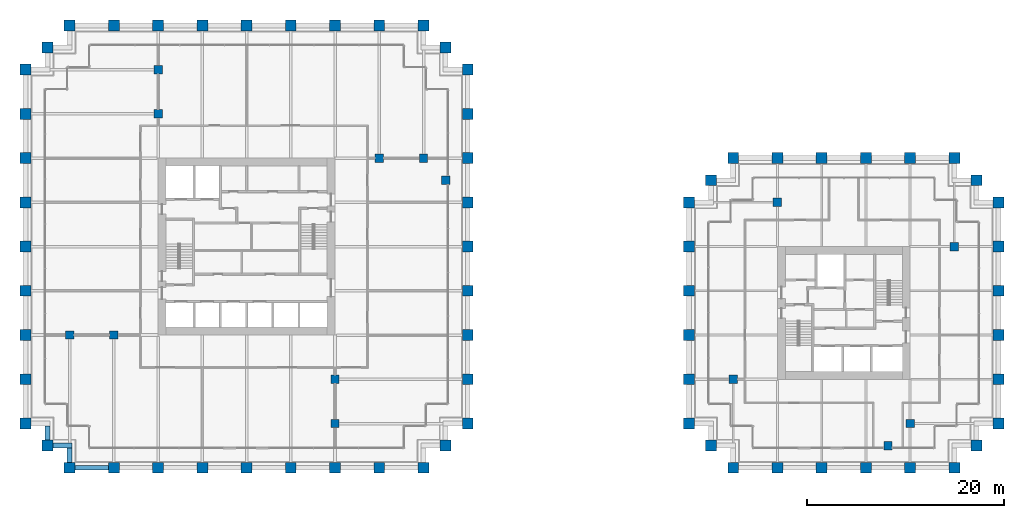
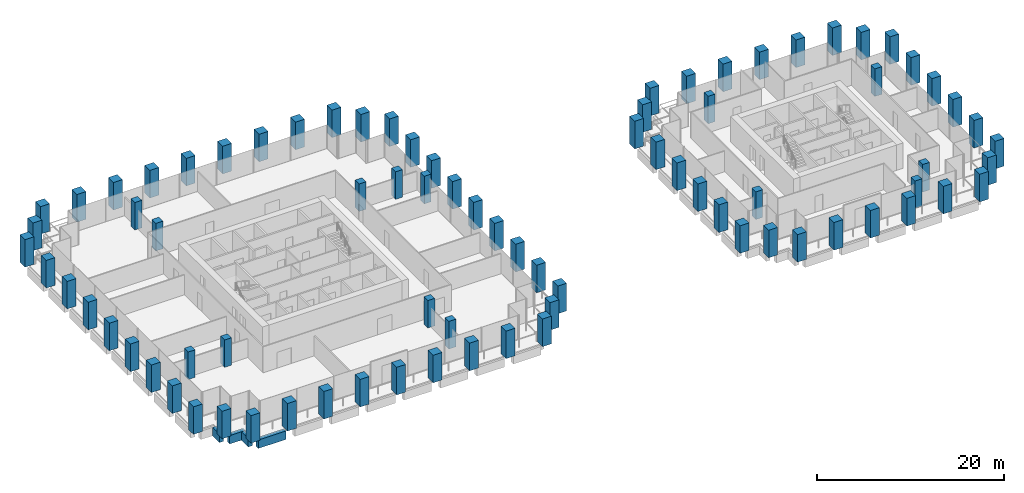
# One storey, part 1 of 56: 82 columns, 4 beams.
"""IFC4 building model written with IfcOpenShell, lengths in metres."""

from ifc_helpers import new_model, si_unit, direction, frame, origin, origin_2d, place, context, subcontext, project, spatial, rectangle, extrude, material, material_profile, profile_set, type_object, element, save


model = new_model("IFC4")

# Units and contexts
model_context = context("Model", 3, precision=1e-05, world=origin(), true_north=direction((0.0, 1.0)))
body_context = subcontext(model_context, "Body", "Model", "MODEL_VIEW")
ifc_project = project(units=[si_unit("LENGTHUNIT", "METRE"), si_unit("AREAUNIT", "SQUARE_METRE"), si_unit("VOLUMEUNIT", "CUBIC_METRE"), si_unit("PLANEANGLEUNIT", "RADIAN"), si_unit("MASSUNIT", "GRAM", prefix="KILO")], contexts=[model_context])

# Site, building, storey
site_placement = place(None, origin())
site = spatial("IfcSite", under=ifc_project, at=site_placement, CompositionType="ELEMENT")
building_placement = place(site_placement, origin())
building = spatial("IfcBuilding", under=site, at=building_placement, Name="Altepetl Exchange Towers", CompositionType="ELEMENT")
storey_placement = place(building_placement, frame((0.0, 0.0, 83.39990234375)))
storey = spatial("IfcBuildingStorey", under=building, at=storey_placement, Name="L20", CompositionType="ELEMENT", Elevation=83.39990234375)

# Columns
ifc_material_1 = material(Name="Concrete C70/85", Category="concrete")
ifc_material_profile_1 = material_profile(ifc_material_1, rectangle(XDim=0.85009765625, YDim=0.85009765625, at=origin_2d()), Name="850 x 850")
ifc_profile_set_1 = profile_set([ifc_material_profile_1], Name="Concrete C70/85")
column_type_1 = type_object("IfcColumnType", Name="Interior column 850", PredefinedType="COLUMN", material=ifc_profile_set_1)
for number, where, name in (
    (1, (31.5, 40.5, 0.0), "col:A:L20:040"),
    (2, (36.0, 40.5, 0.0), "col:A:L20:041"),
    (3, (40.5, 63.0, 0.0), "col:A:L20:042"),
    (4, (40.5, 67.5, 0.0), "col:A:L20:043"),
    (5, (58.5, 31.5, 0.0), "col:A:L20:044"),
    (6, (58.5, 36.0, 0.0), "col:A:L20:045"),
    (7, (63.0, 58.5, 0.0), "col:A:L20:046"),
    (8, (67.5, 58.5, 0.0), "col:A:L20:047"),
    (9, (69.75, 56.25, 0.0), "col:A:L20:048"),
    (10, (99.0, 36.0, 0.0), "col:B:L20:028"),
    (11, (103.5, 54.0, 0.0), "col:B:L20:029"),
    (12, (114.75, 29.25, 0.0), "col:B:L20:030"),
    (13, (117.0, 31.5, 0.0), "col:B:L20:031"),
    (14, (121.5, 49.5, 0.0), "col:B:L20:032"),
):
    element("IfcColumn", number, at=place(storey_placement, frame(where)), inside=storey, type_object=column_type_1, Name=name, PredefinedType="COLUMN", context=body_context, shape_type="SweptSolid", body=[
        extrude(rectangle(XDim=0.85009765625, YDim=0.85009765625, at=origin_2d()), origin(), (0.0, 0.0, 1.0), 3.60009765625),
    ])
ifc_material_2 = material(Name="Concrete C70/85 precast with cantera amarilla facing", Category="concrete")
ifc_material_profile_2 = material_profile(ifc_material_2, rectangle(XDim=1.10009765625, YDim=1.10009765625, at=origin_2d()), Name="1100 x 1100")
ifc_profile_set_2 = profile_set([ifc_material_profile_2], Name="Concrete C70/85 precast with cantera amarilla facing")
column_type_2 = type_object("IfcColumnType", Name="Perimeter column 1100 cantera amarilla", PredefinedType="COLUMN", material=ifc_profile_set_2)
for number, where, name in (
    (15, (58.5, 27.0, 0.0), "col:A:L20:006"),
    (16, (63.0, 27.0, 0.0), "col:A:L20:007"),
    (17, (67.5, 27.0, 0.0), "col:A:L20:008"),
    (18, (69.75, 29.25, 0.0), "col:A:L20:009"),
    (19, (72.0, 31.5, 0.0), "col:A:L20:010"),
    (20, (72.0, 36.0, 0.0), "col:A:L20:011"),
    (21, (72.0, 40.5, 0.0), "col:A:L20:012"),
    (22, (72.0, 45.0, 0.0), "col:A:L20:013"),
    (23, (72.0, 49.5, 0.0), "col:A:L20:014"),
    (24, (72.0, 54.0, 0.0), "col:A:L20:015"),
    (25, (126.0, 49.5, 0.0), "col:B:L20:011"),
    (26, (126.0, 54.0, 0.0), "col:B:L20:012"),
    (27, (123.75, 56.25, 0.0), "col:B:L20:013"),
    (28, (121.5, 58.5, 0.0), "col:B:L20:014"),
    (29, (117.0, 58.5, 0.0), "col:B:L20:015"),
    (30, (112.5, 58.5, 0.0), "col:B:L20:016"),
    (31, (108.0, 58.5, 0.0), "col:B:L20:017"),
):
    element("IfcColumn", number, at=place(storey_placement, frame(where)), inside=storey, type_object=column_type_2, Name=name, PredefinedType="COLUMN", context=body_context, shape_type="SweptSolid", body=[
        extrude(rectangle(XDim=1.10009765625, YDim=1.10009765625, at=origin_2d()), origin(), (0.0, 0.0, 1.0), 3.60009765625),
    ])
ifc_material_3 = material(Name="Concrete C70/85 precast with cantera blanca facing", Category="concrete")
ifc_material_profile_3 = material_profile(ifc_material_3, rectangle(XDim=1.10009765625, YDim=1.10009765625, at=origin_2d()), Name="1100 x 1100")
ifc_profile_set_3 = profile_set([ifc_material_profile_3], Name="Concrete C70/85 precast with cantera blanca facing")
column_type_3 = type_object("IfcColumnType", Name="Perimeter column 1100 cantera blanca", PredefinedType="COLUMN", material=ifc_profile_set_3)
for number, where, name in (
    (32, (31.5, 27.0, 0.0), "col:A:L20:000"),
    (33, (36.0, 27.0, 0.0), "col:A:L20:001"),
    (34, (40.5, 27.0, 0.0), "col:A:L20:002"),
    (35, (45.0, 27.0, 0.0), "col:A:L20:003"),
    (36, (49.5, 27.0, 0.0), "col:A:L20:004"),
    (37, (54.0, 27.0, 0.0), "col:A:L20:005"),
    (38, (27.0, 36.0, 0.0), "col:A:L20:037"),
    (39, (27.0, 31.5, 0.0), "col:A:L20:038"),
    (40, (29.25, 29.25, 0.0), "col:A:L20:039"),
    (41, (117.0, 27.0, 0.0), "col:B:L20:004"),
    (42, (121.5, 27.0, 0.0), "col:B:L20:005"),
    (43, (123.75, 29.25, 0.0), "col:B:L20:006"),
    (44, (126.0, 31.5, 0.0), "col:B:L20:007"),
    (45, (126.0, 36.0, 0.0), "col:B:L20:008"),
    (46, (126.0, 40.5, 0.0), "col:B:L20:009"),
    (47, (126.0, 45.0, 0.0), "col:B:L20:010"),
):
    element("IfcColumn", number, at=place(storey_placement, frame(where)), inside=storey, type_object=column_type_3, Name=name, PredefinedType="COLUMN", context=body_context, shape_type="SweptSolid", body=[
        extrude(rectangle(XDim=1.10009765625, YDim=1.10009765625, at=origin_2d()), origin(), (0.0, 0.0, 1.0), 3.60009765625),
    ])
ifc_material_4 = material(Name="Concrete C70/85 precast with cantera rosa facing", Category="concrete")
ifc_material_profile_4 = material_profile(ifc_material_4, rectangle(XDim=1.10009765625, YDim=1.10009765625, at=origin_2d()), Name="1100 x 1100")
ifc_profile_set_4 = profile_set([ifc_material_profile_4], Name="Concrete C70/85 precast with cantera rosa facing")
column_type_4 = type_object("IfcColumnType", Name="Perimeter column 1100 cantera rosa", PredefinedType="COLUMN", material=ifc_profile_set_4)
for number, where, name in (
    (48, (72.0, 58.5, 0.0), "col:A:L20:016"),
    (49, (72.0, 63.0, 0.0), "col:A:L20:017"),
    (50, (72.0, 67.5, 0.0), "col:A:L20:018"),
    (51, (69.75, 69.75, 0.0), "col:A:L20:019"),
    (52, (67.5, 72.0, 0.0), "col:A:L20:020"),
    (53, (63.0, 72.0, 0.0), "col:A:L20:021"),
    (54, (58.5, 72.0, 0.0), "col:A:L20:022"),
    (55, (54.0, 72.0, 0.0), "col:A:L20:023"),
    (56, (49.5, 72.0, 0.0), "col:A:L20:024"),
    (57, (45.0, 72.0, 0.0), "col:A:L20:025"),
    (58, (103.5, 58.5, 0.0), "col:B:L20:018"),
    (59, (99.0, 58.5, 0.0), "col:B:L20:019"),
    (60, (96.75, 56.25, 0.0), "col:B:L20:020"),
    (61, (94.5, 54.0, 0.0), "col:B:L20:021"),
    (62, (94.5, 49.5, 0.0), "col:B:L20:022"),
    (63, (94.5, 45.0, 0.0), "col:B:L20:023"),
    (64, (94.5, 40.5, 0.0), "col:B:L20:024"),
    (65, (94.5, 36.0, 0.0), "col:B:L20:025"),
):
    element("IfcColumn", number, at=place(storey_placement, frame(where)), inside=storey, type_object=column_type_4, Name=name, PredefinedType="COLUMN", context=body_context, shape_type="SweptSolid", body=[
        extrude(rectangle(XDim=1.10009765625, YDim=1.10009765625, at=origin_2d()), origin(), (0.0, 0.0, 1.0), 3.60009765625),
    ])
ifc_material_5 = material(Name="Concrete C70/85 precast with tezontle facing", Category="concrete")
ifc_material_profile_5 = material_profile(ifc_material_5, rectangle(XDim=1.10009765625, YDim=1.10009765625, at=origin_2d()), Name="1100 x 1100")
ifc_profile_set_5 = profile_set([ifc_material_profile_5], Name="Concrete C70/85 precast with tezontle facing")
column_type_5 = type_object("IfcColumnType", Name="Perimeter column 1100 tezontle", PredefinedType="COLUMN", material=ifc_profile_set_5)
for number, where, name in (
    (66, (40.5, 72.0, 0.0), "col:A:L20:026"),
    (67, (36.0, 72.0, 0.0), "col:A:L20:027"),
    (68, (31.5, 72.0, 0.0), "col:A:L20:028"),
    (69, (29.25, 69.75, 0.0), "col:A:L20:029"),
    (70, (27.0, 67.5, 0.0), "col:A:L20:030"),
    (71, (27.0, 63.0, 0.0), "col:A:L20:031"),
    (72, (27.0, 58.5, 0.0), "col:A:L20:032"),
    (73, (27.0, 54.0, 0.0), "col:A:L20:033"),
    (74, (27.0, 49.5, 0.0), "col:A:L20:034"),
    (75, (27.0, 45.0, 0.0), "col:A:L20:035"),
    (76, (27.0, 40.5, 0.0), "col:A:L20:036"),
    (77, (99.0, 27.0, 0.0), "col:B:L20:000"),
    (78, (103.5, 27.0, 0.0), "col:B:L20:001"),
    (79, (108.0, 27.0, 0.0), "col:B:L20:002"),
    (80, (112.5, 27.0, 0.0), "col:B:L20:003"),
    (81, (94.5, 31.5, 0.0), "col:B:L20:026"),
    (82, (96.75, 29.25, 0.0), "col:B:L20:027"),
):
    element("IfcColumn", number, at=place(storey_placement, frame(where)), inside=storey, type_object=column_type_5, Name=name, PredefinedType="COLUMN", context=body_context, shape_type="SweptSolid", body=[
        extrude(rectangle(XDim=1.10009765625, YDim=1.10009765625, at=origin_2d()), origin(), (0.0, 0.0, 1.0), 3.60009765625),
    ])

# Beams
ifc_material_6 = material(Name="Concrete C50/60 precast with cantera blanca facing", Category="concrete")
ifc_material_profile_6 = material_profile(ifc_material_6, rectangle(XDim=0.5, YDim=1.10009765625, at=origin_2d()), Name="500 x 1100")
ifc_profile_set_6 = profile_set([ifc_material_profile_6], Name="Concrete C50/60 precast with cantera blanca facing")
beam_type = type_object("IfcBeamType", Name="Spandrel beam 500x1100 cantera blanca", PredefinedType="SPANDREL", material=ifc_profile_set_6)
beam_1_placement = place(storey_placement, frame((32.050048828125, 27.0, -0.699951171875), z_axis=(1.0, 0.0, 0.0), x_axis=(0.0, 1.0, 0.0)))
element("IfcBeam", 83, at=beam_1_placement, inside=storey, type_object=beam_type, Name="sp:A:L20:000", PredefinedType="SPANDREL", context=body_context, shape_type="SweptSolid", body=[
    extrude(rectangle(XDim=0.5, YDim=1.10009765625, at=origin_2d()), origin(), (0.0, 0.0, 1.0), 3.39990234375),
])
beam_2_placement = place(storey_placement, frame((29.25, 31.25, -0.699951171875), z_axis=(0.0, -1.0, 0.0), x_axis=(1.0, 0.0, 0.0)))
element("IfcBeam", 84, at=beam_2_placement, inside=storey, type_object=beam_type, Name="sp:A:L20:045", PredefinedType="SPANDREL", context=body_context, shape_type="SweptSolid", body=[
    extrude(rectangle(XDim=0.5, YDim=1.10009765625, at=origin_2d()), origin(), (0.0, 0.0, 1.0), 1.449951171875),
])
beam_3_placement = place(storey_placement, frame((29.800048828125, 29.25, -0.699951171875), z_axis=(1.0, 0.0, 0.0), x_axis=(0.0, 1.0, 0.0)))
element("IfcBeam", 85, at=beam_3_placement, inside=storey, type_object=beam_type, Name="sp:A:L20:046", PredefinedType="SPANDREL", context=body_context, shape_type="SweptSolid", body=[
    extrude(rectangle(XDim=0.5, YDim=1.10009765625, at=origin_2d()), origin(), (0.0, 0.0, 1.0), 1.949951171875),
])
beam_4_placement = place(storey_placement, frame((31.5, 29.0, -0.699951171875), z_axis=(0.0, -1.0, 0.0), x_axis=(1.0, 0.0, 0.0)))
element("IfcBeam", 86, at=beam_4_placement, inside=storey, type_object=beam_type, Name="sp:A:L20:047", PredefinedType="SPANDREL", context=body_context, shape_type="SweptSolid", body=[
    extrude(rectangle(XDim=0.5, YDim=1.10009765625, at=origin_2d()), origin(), (0.0, 0.0, 1.0), 1.449951171875),
])

save(model, "model.ifc")
